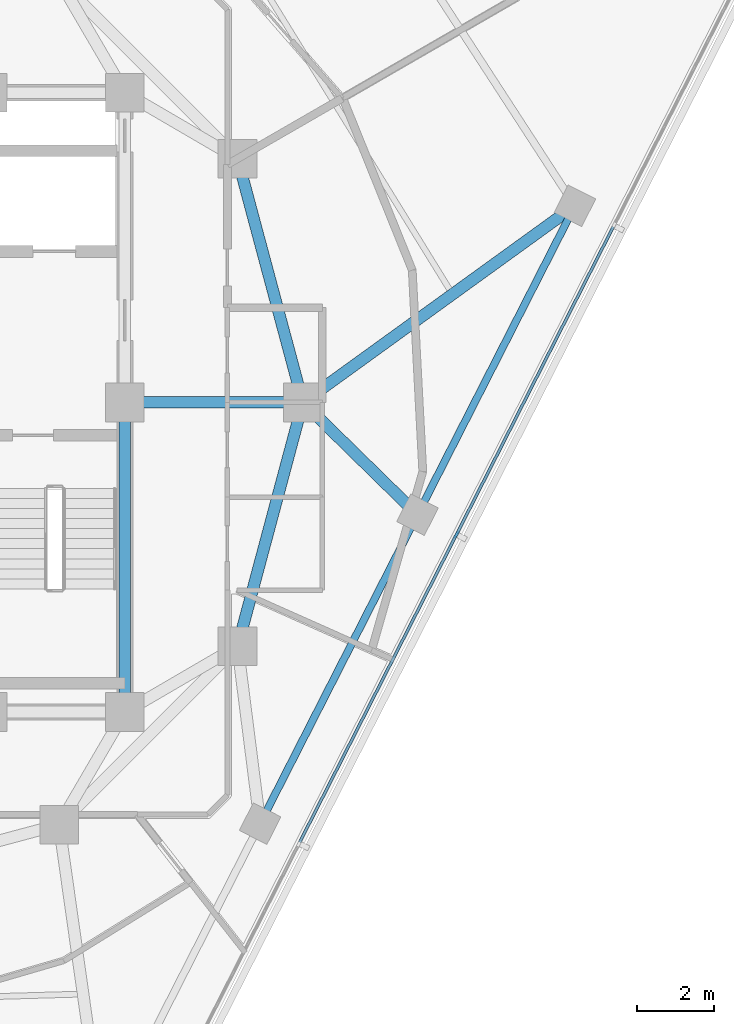
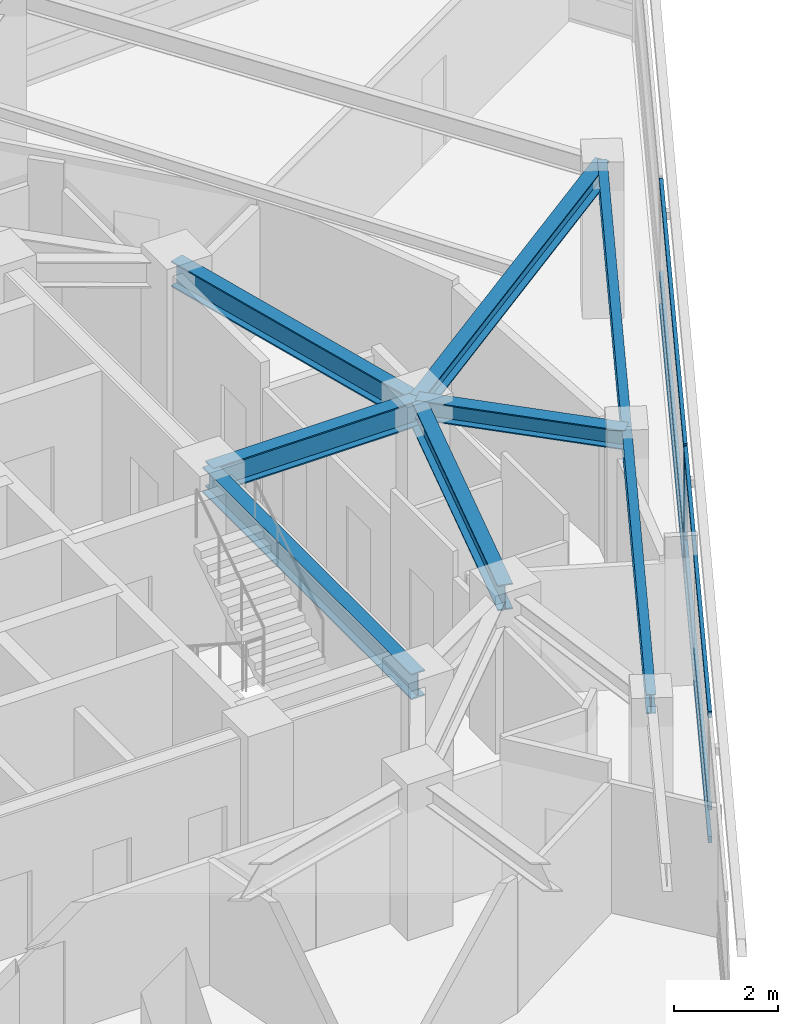
# One storey, part 4 of 15: 8 beams, 7 members, 1 element without a shape of its own.
"""IFC4 building model written with IfcOpenShell, lengths in metres."""

from ifc_helpers import new_model, si_unit, direction, frame, origin, origin_2d, place, context, subcontext, project, spatial, rectangle, i_section, extrude, material, layer, layer_set, material_profile, profile_set, type_object, element, aggregate, save


model = new_model("IFC4")

# Units and contexts
model_context = context("Model", 3, precision=1e-05, world=origin(), true_north=direction((0.0, 1.0)))
body_context = subcontext(model_context, "Body", "Model", "MODEL_VIEW")
ifc_project = project(units=[si_unit("LENGTHUNIT", "METRE"), si_unit("AREAUNIT", "SQUARE_METRE"), si_unit("VOLUMEUNIT", "CUBIC_METRE"), si_unit("PLANEANGLEUNIT", "RADIAN"), si_unit("MASSUNIT", "GRAM", prefix="KILO")], contexts=[model_context])

# Site, building, storey
site_placement = place(None, origin())
site = spatial("IfcSite", under=ifc_project, at=site_placement, CompositionType="ELEMENT")
building_placement = place(site_placement, origin())
building = spatial("IfcBuilding", under=site, at=building_placement, Name="Terralouvre Media Tower", CompositionType="ELEMENT")
storey_placement = place(building_placement, frame((0.0, 0.0, 270.699951171875)))
storey = spatial("IfcBuildingStorey", under=building, at=storey_placement, Name="L70", CompositionType="ELEMENT", Elevation=270.699951171875)

# Curtain wall, members
ifc_material_1 = material(Name="Low-iron laminated double glazing with solar-control coating", Category="glass")
ifc_layer = layer(ifc_material_1, 0.1650390625, Name="Upper Executive Tower Curtain Wall CW-05")
ifc_layer_set = layer_set([ifc_layer], Name="Low-iron laminated double glazing with solar-control coating")
curtain_wall_type = type_object("IfcCurtainWallType", Name="Upper Executive Tower Curtain Wall CW-05", PredefinedType="NOTDEFINED", material=ifc_layer_set)
curtain_wall_placement = place(storey_placement, origin())
curtain_wall = element("IfcCurtainWall", 1, at=curtain_wall_placement, inside=storey, type_object=curtain_wall_type, Name="L70 Facade Curtain Wall F0", PredefinedType="NOTDEFINED")
ifc_material_2 = material(Name="Anodised extruded aluminium 6063-T6", Category="aluminium")
ifc_material_profile_1 = material_profile(ifc_material_2, rectangle(XDim=0.074951171875, YDim=0.14990234375, at=origin_2d()), Name="ALU 75x150")
ifc_profile_set_1 = profile_set([ifc_material_profile_1], Name="Anodised extruded aluminium 6063-T6")
member_type_1 = type_object("IfcMemberType", Name="Curtain-Wall Horizontal Transom TR-150", PredefinedType="USERDEFINED", material=ifc_profile_set_1)
member_1_placement = place(storey_placement, frame((12.517822265625, -11.364013671875, 0.03759765625), z_axis=(0.4539932871, 0.891005103952, 0.0), x_axis=(-0.891005103952, 0.4539932871, 0.0)))
member_1 = element("IfcMember", 2, at=member_1_placement, type_object=member_type_1, Name="CW-05 transom 3.1", ObjectType="TRANSOM", PredefinedType="USERDEFINED", context=body_context, shape_type="SweptSolid", body=[
    extrude(rectangle(XDim=0.074951171875, YDim=0.14990234375, at=origin_2d()), origin(), (0.0, 0.0, 1.0), 8.885009765625),
])
member_2_placement = place(storey_placement, frame((12.517822265625, -11.364013671875, 0.800048828125), z_axis=(0.4539932871, 0.891005103952, 0.0), x_axis=(-0.891005103952, 0.4539932871, 0.0)))
member_2 = element("IfcMember", 3, at=member_2_placement, type_object=member_type_1, Name="CW-05 transom 3.2", ObjectType="TRANSOM", PredefinedType="USERDEFINED", context=body_context, shape_type="SweptSolid", body=[
    extrude(rectangle(XDim=0.074951171875, YDim=0.14990234375, at=origin_2d()), origin(), (0.0, 0.0, 1.0), 8.885009765625),
])
member_3_placement = place(storey_placement, frame((12.517822265625, -11.364013671875, 2.962646484375), z_axis=(0.4539932871, 0.891005103952, 0.0), x_axis=(-0.891005103952, 0.4539932871, 0.0)))
member_3 = element("IfcMember", 4, at=member_3_placement, type_object=member_type_1, Name="CW-05 transom 3.3", ObjectType="TRANSOM", PredefinedType="USERDEFINED", context=body_context, shape_type="SweptSolid", body=[
    extrude(rectangle(XDim=0.074951171875, YDim=0.14990234375, at=origin_2d()), origin(), (0.0, 0.0, 1.0), 8.885009765625),
])
member_4_placement = place(storey_placement, frame((16.585693359375, -3.380615234375, 0.03759765625), z_axis=(0.4539932871, 0.891005103952, 0.0), x_axis=(-0.891005103952, 0.4539932871, 0.0)))
member_4 = element("IfcMember", 5, at=member_4_placement, type_object=member_type_1, Name="CW-05 transom 4.1", ObjectType="TRANSOM", PredefinedType="USERDEFINED", context=body_context, shape_type="SweptSolid", body=[
    extrude(rectangle(XDim=0.074951171875, YDim=0.14990234375, at=origin_2d()), origin(), (0.0, 0.0, 1.0), 8.885009765625),
])
member_5_placement = place(storey_placement, frame((16.585693359375, -3.380615234375, 0.800048828125), z_axis=(0.4539932871, 0.891005103952, 0.0), x_axis=(-0.891005103952, 0.4539932871, 0.0)))
member_5 = element("IfcMember", 6, at=member_5_placement, type_object=member_type_1, Name="CW-05 transom 4.2", ObjectType="TRANSOM", PredefinedType="USERDEFINED", context=body_context, shape_type="SweptSolid", body=[
    extrude(rectangle(XDim=0.074951171875, YDim=0.14990234375, at=origin_2d()), origin(), (0.0, 0.0, 1.0), 8.885009765625),
])
member_6_placement = place(storey_placement, frame((16.585693359375, -3.380615234375, 2.962646484375), z_axis=(0.4539932871, 0.891005103952, 0.0), x_axis=(-0.891005103952, 0.4539932871, 0.0)))
member_6 = element("IfcMember", 7, at=member_6_placement, type_object=member_type_1, Name="CW-05 transom 4.3", ObjectType="TRANSOM", PredefinedType="USERDEFINED", context=body_context, shape_type="SweptSolid", body=[
    extrude(rectangle(XDim=0.074951171875, YDim=0.14990234375, at=origin_2d()), origin(), (0.0, 0.0, 1.0), 8.885009765625),
])
ifc_material_3 = material(Name="Anodised extruded aluminium 6063-T6", Category="aluminium")
ifc_material_profile_2 = material_profile(ifc_material_3, rectangle(XDim=0.074951171875, YDim=0.179931640625, at=origin_2d()), Name="ALU 75x180")
ifc_profile_set_2 = profile_set([ifc_material_profile_2], Name="Anodised extruded aluminium 6063-T6")
member_type_2 = type_object("IfcMemberType", Name="Curtain-Wall Vertical Mullion ML-180", PredefinedType="MULLION", material=ifc_profile_set_2)
member_7_placement = place(storey_placement, frame((16.568603515625, -3.4140625, 0.0), z_axis=(0.0, 0.0, 1.0), x_axis=(-0.891006553308, 0.45399044259, 0.0)))
member_7 = element("IfcMember", 8, at=member_7_placement, type_object=member_type_2, Name="CW-05 mullion 4", PredefinedType="MULLION", context=body_context, shape_type="SweptSolid", body=[
    extrude(rectangle(XDim=0.074951171875, YDim=0.179931640625, at=origin_2d()), origin(), (0.0, 0.0, 1.0), 3.0),
])
aggregate(curtain_wall, [member_7, member_1, member_2, member_3, member_4, member_5, member_6])

# Beams
ifc_material_4 = material(Name="Structural steel S355J2", Category="steel")
ifc_material_profile_3 = material_profile(ifc_material_4, i_section(OverallWidth=0.18994140625, OverallDepth=0.449951171875, WebThickness=0.009521484375, FlangeThickness=0.0146484375, at=origin_2d()), Name="IPE 450")
ifc_profile_set_3 = profile_set([ifc_material_profile_3], Name="Structural steel S355J2")
beam_type_1 = type_object("IfcBeamType", Name="Perimeter Spandrel Beam SPB-450 (IPE 450)", PredefinedType="SPANDREL", material=ifc_profile_set_3)
for number, where, z_axis, x_axis, name in (
    (9, (11.493896484375, -10.884521484375, 3.275146484375), (0.454001700669, 0.891000816941, 0.0), (-0.891000816941, 0.454001700669, 0.0), "L70 Framing Beam BM-L70-PR05"),
    (10, (15.561767578125, -2.901123046875, 3.275146484375), (0.453980068772, 0.891011838955, 0.0), (-0.891011838955, 0.453980068772, 0.0), "L70 Framing Beam BM-L70-PR06"),
):
    element("IfcBeam", number, at=place(storey_placement, frame(where, z_axis=z_axis, x_axis=x_axis)), inside=storey, type_object=beam_type_1, Name=name, PredefinedType="SPANDREL", context=body_context, shape_type="SweptSolid", body=[
        extrude(i_section(OverallWidth=0.18994140625, OverallDepth=0.449951171875, WebThickness=0.009521484375, FlangeThickness=0.0146484375, at=origin_2d()), origin(), (0.0, 0.0, 1.0), 8.9599609375),
    ])
ifc_material_5 = material(Name="Structural steel S355J2", Category="steel")
ifc_material_profile_4 = material_profile(ifc_material_5, i_section(OverallWidth=0.300048828125, OverallDepth=0.449951171875, WebThickness=0.013916015625, FlangeThickness=0.02587890625, at=origin_2d()), Name="HEB 450")
ifc_profile_set_4 = profile_set([ifc_material_profile_4], Name="Structural steel S355J2")
beam_type_2 = type_object("IfcBeamType", Name="Primary Floor Girder B-HEB450 (HEB 450)", PredefinedType="BEAM", material=ifc_profile_set_4)
beam_1_placement = place(storey_placement, frame((12.60009765625, 0.0, 3.275146484375), z_axis=(0.71437119745, -0.699766955675, 0.0), x_axis=(0.699766955675, 0.71437119745, 0.0)))
element("IfcBeam", 11, at=beam_1_placement, inside=storey, type_object=beam_type_2, Name="L70 Framing Beam BM-L70-RD06", PredefinedType="BEAM", context=body_context, shape_type="SweptSolid", body=[
    extrude(i_section(OverallWidth=0.300048828125, OverallDepth=0.449951171875, WebThickness=0.013916015625, FlangeThickness=0.02587890625, at=origin_2d()), origin(), (0.0, 0.0, 1.0), 4.145751953125),
])
beam_2_placement = place(storey_placement, frame((12.60009765625, 0.0, 3.275146484375), z_axis=(0.810374824206, 0.585911805901, 0.0), x_axis=(-0.585911805901, 0.810374824206, 0.0)))
element("IfcBeam", 12, at=beam_2_placement, inside=storey, type_object=beam_type_2, Name="L70 Framing Beam BM-L70-RD07", PredefinedType="BEAM", context=body_context, shape_type="SweptSolid", body=[
    extrude(i_section(OverallWidth=0.300048828125, OverallDepth=0.449951171875, WebThickness=0.013916015625, FlangeThickness=0.02587890625, at=origin_2d()), origin(), (0.0, 0.0, 1.0), 8.674072265625),
])
ifc_material_6 = material(Name="Structural steel S460M", Category="steel")
ifc_material_profile_5 = material_profile(ifc_material_6, i_section(OverallWidth=0.300048828125, OverallDepth=0.60009765625, WebThickness=0.015380859375, FlangeThickness=0.030029296875, at=origin_2d()), Name="HEB 600")
ifc_profile_set_5 = profile_set([ifc_material_profile_5], Name="Structural steel S460M")
beam_type_3 = type_object("IfcBeamType", Name="Primary Floor Girder B-HEB600 (HEB 600)", PredefinedType="BEAM", material=ifc_profile_set_5)
beam_3_placement = place(storey_placement, frame((8.0, -8.0, 3.199951171875), z_axis=(0.0, 1.0, 0.0), x_axis=(-1.0, 0.0, 0.0)))
element("IfcBeam", 13, at=beam_3_placement, inside=storey, type_object=beam_type_3, Name="L70 Framing Beam BM-L70-CPR04", PredefinedType="BEAM", context=body_context, shape_type="SweptSolid", body=[
    extrude(i_section(OverallWidth=0.300048828125, OverallDepth=0.60009765625, WebThickness=0.015380859375, FlangeThickness=0.030029296875, at=origin_2d()), origin(), (0.0, 0.0, 1.0), 8.0),
])
for number, where, z_axis, x_axis, name in (
    (14, (10.911865234375, -6.300048828125, 3.199951171875), (0.258838989821, 0.965920481897, 0.0), (-0.965920481897, 0.258838989821, 0.0), "L70 Framing Beam BM-L70-MR05"),
    (15, (12.60009765625, 0.0, 3.199951171875), (-0.258838989821, 0.965920481897, 0.0), (-0.965920481897, -0.258838989821, 0.0), "L70 Framing Beam BM-L70-MR06"),
):
    element("IfcBeam", number, at=place(storey_placement, frame(where, z_axis=z_axis, x_axis=x_axis)), inside=storey, type_object=beam_type_3, Name=name, PredefinedType="BEAM", context=body_context, shape_type="SweptSolid", body=[
        extrude(i_section(OverallWidth=0.300048828125, OverallDepth=0.60009765625, WebThickness=0.015380859375, FlangeThickness=0.030029296875, at=origin_2d()), origin(), (0.0, 0.0, 1.0), 6.522216796875),
    ])
beam_4_placement = place(storey_placement, frame((8.0, 0.0, 3.199951171875), z_axis=(1.0, 0.0, 0.0), x_axis=(0.0, 1.0, 0.0)))
element("IfcBeam", 16, at=beam_4_placement, inside=storey, type_object=beam_type_3, Name="L70 Framing Beam BM-L70-CM06", PredefinedType="BEAM", context=body_context, shape_type="SweptSolid", body=[
    extrude(i_section(OverallWidth=0.300048828125, OverallDepth=0.60009765625, WebThickness=0.015380859375, FlangeThickness=0.030029296875, at=origin_2d()), origin(), (0.0, 0.0, 1.0), 4.60009765625),
])

save(model, "model.ifc")
